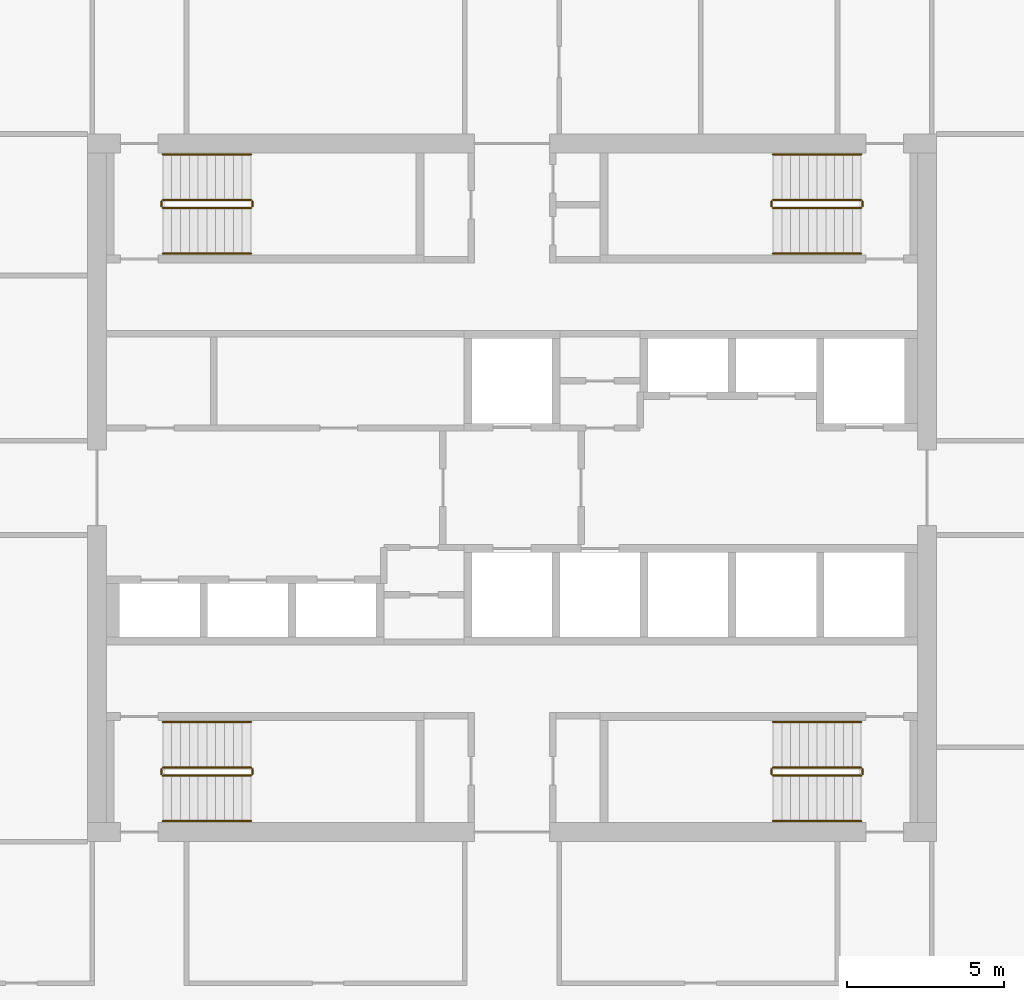
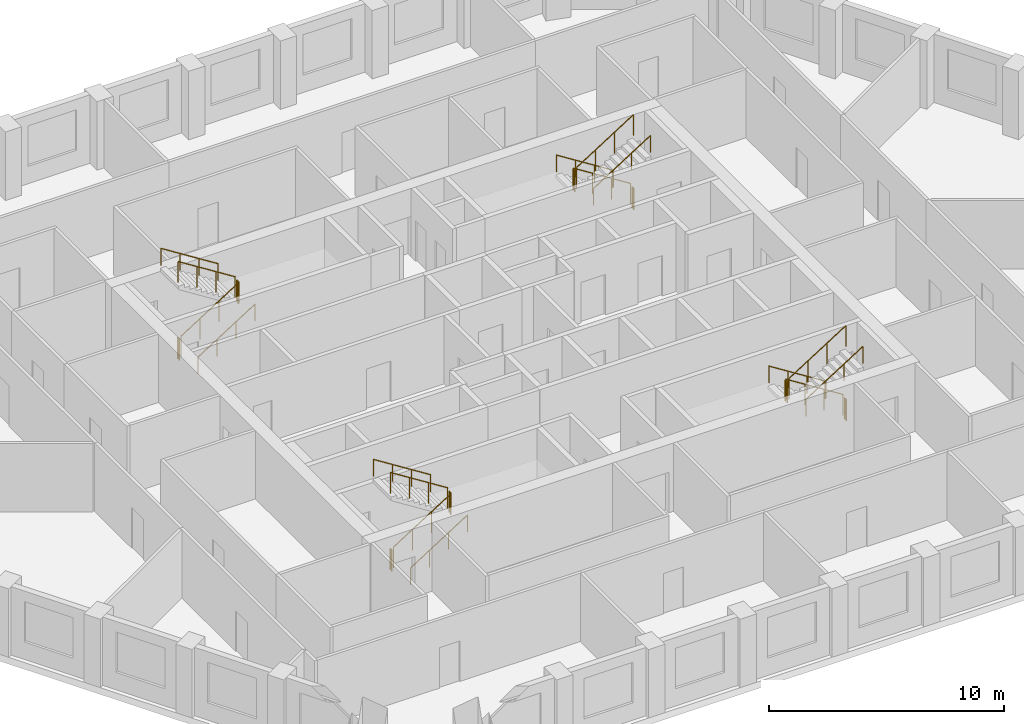
# One storey, part 9 of 9: 24 railings.
"""IFC4 building model written with IfcOpenShell, lengths in metres."""

from ifc_helpers import new_model, si_unit, direction, frame, origin, origin_2d, place, context, subcontext, project, spatial, circle, extrude, material, type_object, element, save


model = new_model("IFC4")

# Units and contexts
model_context = context("Model", 3, precision=1e-05, world=origin(), true_north=direction((0.0, 1.0)))
body_context = subcontext(model_context, "Body", "Model", "MODEL_VIEW")
ifc_project = project(units=[si_unit("LENGTHUNIT", "METRE"), si_unit("AREAUNIT", "SQUARE_METRE"), si_unit("VOLUMEUNIT", "CUBIC_METRE"), si_unit("PLANEANGLEUNIT", "RADIAN"), si_unit("MASSUNIT", "GRAM", prefix="KILO")], contexts=[model_context])

# Site, building, storey
site_placement = place(None, origin())
site = spatial("IfcSite", under=ifc_project, at=site_placement, CompositionType="ELEMENT")
building_placement = place(site_placement, origin())
building = spatial("IfcBuilding", under=site, at=building_placement, Name="Dhurran Vertical Campus", CompositionType="ELEMENT")
storey_placement = place(building_placement, frame((0.0, 0.0, 203.39990234375)))
storey = spatial("IfcBuildingStorey", under=building, at=storey_placement, Name="L50", CompositionType="ELEMENT", Elevation=203.39990234375)

# Railings
ifc_material_1 = material(Name="Stainless steel balustrade", Category="steel")
railing_type_1 = type_object("IfcRailingType", Name="co-RL-GUARD-1100", PredefinedType="GUARDRAIL", material=ifc_material_1)
railing_1_placement = place(storey_placement, frame((-11.10009765625, 8.89990234375, 0.177490234375)))
element("IfcRailing", 1, at=railing_1_placement, inside=storey, type_object=railing_type_1, Name="L50 ST1 stair guard 1", PredefinedType="GUARDRAIL", context=body_context, shape_type="SweptSolid", body=[
    extrude(circle(Radius=0.02392578125, at=origin_2d()), frame((0.0, 0.0, 1.076171875), z_axis=(0.844908973607, 0.0, 0.534910110503), x_axis=(0.0, 1.0, 0.0)), (0.0, 0.0, 1.0), 3.31396484375),
    extrude(circle(Radius=0.02099609375, at=origin_2d()), origin(), (0.0, 0.0, 1.0), 1.052001953125),
    extrude(circle(Radius=0.02099609375, at=origin_2d()), frame((0.933349609375, 0.0, 0.5908203125)), (0.0, 0.0, 1.0), 1.052001953125),
    extrude(circle(Radius=0.02099609375, at=origin_2d()), frame((1.86669921875, 0.0, 1.181884765625)), (0.0, 0.0, 1.0), 1.052001953125),
    extrude(circle(Radius=0.02099609375, at=origin_2d()), frame((2.800048828125, 0.0, 1.772705078125)), (0.0, 0.0, 1.0), 1.052001953125),
])
railing_2_placement = place(storey_placement, frame((-8.25, 8.949951171875, 1.9501953125)))
element("IfcRailing", 2, at=railing_2_placement, inside=storey, type_object=railing_type_1, Name="L50 ST1 stair guard 2", PredefinedType="GUARDRAIL", context=body_context, shape_type="SweptSolid", body=[
    extrude(circle(Radius=0.02392578125, at=origin_2d()), frame((0.0, 0.0, 1.076171875), z_axis=(0.0, 1.0, 0.0), x_axis=(-1.0, 0.0, 0.0)), (0.0, 0.0, 1.0), 0.150146484375),
    extrude(circle(Radius=0.02099609375, at=origin_2d()), origin(), (0.0, 0.0, 1.0), 1.052001953125),
    extrude(circle(Radius=0.02099609375, at=origin_2d()), frame((0.0, 0.150146484375, 0.0)), (0.0, 0.0, 1.0), 1.052001953125),
])
railing_3_placement = place(storey_placement, frame((-8.300048828125, 9.14990234375, 2.12744140625)))
element("IfcRailing", 3, at=railing_3_placement, inside=storey, type_object=railing_type_1, Name="L50 ST1 stair guard 3", PredefinedType="GUARDRAIL", context=body_context, shape_type="SweptSolid", body=[
    extrude(circle(Radius=0.02392578125, at=origin_2d()), frame((0.0, 0.0, 1.076171875), z_axis=(-0.844908973607, 0.0, 0.534910110503), x_axis=(0.0, -1.0, 0.0)), (0.0, 0.0, 1.0), 3.31396484375),
    extrude(circle(Radius=0.02099609375, at=origin_2d()), origin(), (0.0, 0.0, 1.0), 1.052001953125),
    extrude(circle(Radius=0.02099609375, at=origin_2d()), frame((-0.933349609375, 0.0, 0.5908203125)), (0.0, 0.0, 1.0), 1.052001953125),
    extrude(circle(Radius=0.02099609375, at=origin_2d()), frame((-1.86669921875, 0.0, 1.181884765625)), (0.0, 0.0, 1.0), 1.052001953125),
    extrude(circle(Radius=0.02099609375, at=origin_2d()), frame((-2.800048828125, 0.0, 1.772705078125)), (0.0, 0.0, 1.0), 1.052001953125),
])
railing_4_placement = place(storey_placement, frame((-11.14990234375, 8.949951171875, 0.0)))
element("IfcRailing", 4, at=railing_4_placement, inside=storey, type_object=railing_type_1, Name="L50 ST1 stair guard 4", PredefinedType="GUARDRAIL", context=body_context, shape_type="SweptSolid", body=[
    extrude(circle(Radius=0.02392578125, at=origin_2d()), frame((0.0, 0.0, 1.076171875), z_axis=(0.0, 1.0, 0.0), x_axis=(-1.0, 0.0, 0.0)), (0.0, 0.0, 1.0), 0.150146484375),
    extrude(circle(Radius=0.02099609375, at=origin_2d()), origin(), (0.0, 0.0, 1.0), 1.052001953125),
    extrude(circle(Radius=0.02099609375, at=origin_2d()), frame((0.0, 0.150146484375, 0.0)), (0.0, 0.0, 1.0), 1.052001953125),
])
railing_5_placement = place(storey_placement, frame((11.10009765625, 9.14990234375, 0.177490234375)))
element("IfcRailing", 5, at=railing_5_placement, inside=storey, type_object=railing_type_1, Name="L50 ST2 stair guard 1", PredefinedType="GUARDRAIL", context=body_context, shape_type="SweptSolid", body=[
    extrude(circle(Radius=0.02392578125, at=origin_2d()), frame((0.0, 0.0, 1.076171875), z_axis=(-0.844908973607, 0.0, 0.534910110503), x_axis=(0.0, -1.0, 0.0)), (0.0, 0.0, 1.0), 3.31396484375),
    extrude(circle(Radius=0.02099609375, at=origin_2d()), origin(), (0.0, 0.0, 1.0), 1.052001953125),
    extrude(circle(Radius=0.02099609375, at=origin_2d()), frame((-0.933349609375, 0.0, 0.5908203125)), (0.0, 0.0, 1.0), 1.052001953125),
    extrude(circle(Radius=0.02099609375, at=origin_2d()), frame((-1.86669921875, 0.0, 1.181884765625)), (0.0, 0.0, 1.0), 1.052001953125),
    extrude(circle(Radius=0.02099609375, at=origin_2d()), frame((-2.800048828125, 0.0, 1.772705078125)), (0.0, 0.0, 1.0), 1.052001953125),
])
railing_6_placement = place(storey_placement, frame((8.25, 9.10009765625, 1.9501953125)))
element("IfcRailing", 6, at=railing_6_placement, inside=storey, type_object=railing_type_1, Name="L50 ST2 stair guard 2", PredefinedType="GUARDRAIL", context=body_context, shape_type="SweptSolid", body=[
    extrude(circle(Radius=0.02392578125, at=origin_2d()), frame((0.0, 0.0, 1.076171875), z_axis=(0.0, -1.0, 0.0), x_axis=(1.0, 0.0, 0.0)), (0.0, 0.0, 1.0), 0.150146484375),
    extrude(circle(Radius=0.02099609375, at=origin_2d()), origin(), (0.0, 0.0, 1.0), 1.052001953125),
    extrude(circle(Radius=0.02099609375, at=origin_2d()), frame((0.0, -0.150146484375, 0.0)), (0.0, 0.0, 1.0), 1.052001953125),
])
railing_7_placement = place(storey_placement, frame((8.300048828125, 8.89990234375, 2.12744140625)))
element("IfcRailing", 7, at=railing_7_placement, inside=storey, type_object=railing_type_1, Name="L50 ST2 stair guard 3", PredefinedType="GUARDRAIL", context=body_context, shape_type="SweptSolid", body=[
    extrude(circle(Radius=0.02392578125, at=origin_2d()), frame((0.0, 0.0, 1.076171875), z_axis=(0.844908973607, 0.0, 0.534910110503), x_axis=(0.0, 1.0, 0.0)), (0.0, 0.0, 1.0), 3.31396484375),
    extrude(circle(Radius=0.02099609375, at=origin_2d()), origin(), (0.0, 0.0, 1.0), 1.052001953125),
    extrude(circle(Radius=0.02099609375, at=origin_2d()), frame((0.933349609375, 0.0, 0.5908203125)), (0.0, 0.0, 1.0), 1.052001953125),
    extrude(circle(Radius=0.02099609375, at=origin_2d()), frame((1.86669921875, 0.0, 1.181884765625)), (0.0, 0.0, 1.0), 1.052001953125),
    extrude(circle(Radius=0.02099609375, at=origin_2d()), frame((2.800048828125, 0.0, 1.772705078125)), (0.0, 0.0, 1.0), 1.052001953125),
])
railing_8_placement = place(storey_placement, frame((11.14990234375, 9.10009765625, 0.0)))
element("IfcRailing", 8, at=railing_8_placement, inside=storey, type_object=railing_type_1, Name="L50 ST2 stair guard 4", PredefinedType="GUARDRAIL", context=body_context, shape_type="SweptSolid", body=[
    extrude(circle(Radius=0.02392578125, at=origin_2d()), frame((0.0, 0.0, 1.076171875), z_axis=(0.0, -1.0, 0.0), x_axis=(1.0, 0.0, 0.0)), (0.0, 0.0, 1.0), 0.150146484375),
    extrude(circle(Radius=0.02099609375, at=origin_2d()), origin(), (0.0, 0.0, 1.0), 1.052001953125),
    extrude(circle(Radius=0.02099609375, at=origin_2d()), frame((0.0, -0.150146484375, 0.0)), (0.0, 0.0, 1.0), 1.052001953125),
])
railing_9_placement = place(storey_placement, frame((-11.10009765625, -9.14990234375, 0.177490234375)))
element("IfcRailing", 9, at=railing_9_placement, inside=storey, type_object=railing_type_1, Name="L50 ST3 stair guard 1", PredefinedType="GUARDRAIL", context=body_context, shape_type="SweptSolid", body=[
    extrude(circle(Radius=0.02392578125, at=origin_2d()), frame((0.0, 0.0, 1.076171875), z_axis=(0.844908973607, 0.0, 0.534910110503), x_axis=(0.0, 1.0, 0.0)), (0.0, 0.0, 1.0), 3.31396484375),
    extrude(circle(Radius=0.02099609375, at=origin_2d()), origin(), (0.0, 0.0, 1.0), 1.052001953125),
    extrude(circle(Radius=0.02099609375, at=origin_2d()), frame((0.933349609375, 0.0, 0.5908203125)), (0.0, 0.0, 1.0), 1.052001953125),
    extrude(circle(Radius=0.02099609375, at=origin_2d()), frame((1.86669921875, 0.0, 1.181884765625)), (0.0, 0.0, 1.0), 1.052001953125),
    extrude(circle(Radius=0.02099609375, at=origin_2d()), frame((2.800048828125, 0.0, 1.772705078125)), (0.0, 0.0, 1.0), 1.052001953125),
])
railing_10_placement = place(storey_placement, frame((-8.25, -9.10009765625, 1.9501953125)))
element("IfcRailing", 10, at=railing_10_placement, inside=storey, type_object=railing_type_1, Name="L50 ST3 stair guard 2", PredefinedType="GUARDRAIL", context=body_context, shape_type="SweptSolid", body=[
    extrude(circle(Radius=0.02392578125, at=origin_2d()), frame((0.0, 0.0, 1.076171875), z_axis=(0.0, 1.0, 0.0), x_axis=(-1.0, 0.0, 0.0)), (0.0, 0.0, 1.0), 0.150146484375),
    extrude(circle(Radius=0.02099609375, at=origin_2d()), origin(), (0.0, 0.0, 1.0), 1.052001953125),
    extrude(circle(Radius=0.02099609375, at=origin_2d()), frame((0.0, 0.150146484375, 0.0)), (0.0, 0.0, 1.0), 1.052001953125),
])
railing_11_placement = place(storey_placement, frame((-8.300048828125, -8.89990234375, 2.12744140625)))
element("IfcRailing", 11, at=railing_11_placement, inside=storey, type_object=railing_type_1, Name="L50 ST3 stair guard 3", PredefinedType="GUARDRAIL", context=body_context, shape_type="SweptSolid", body=[
    extrude(circle(Radius=0.02392578125, at=origin_2d()), frame((0.0, 0.0, 1.076171875), z_axis=(-0.844908973607, 0.0, 0.534910110503), x_axis=(0.0, -1.0, 0.0)), (0.0, 0.0, 1.0), 3.31396484375),
    extrude(circle(Radius=0.02099609375, at=origin_2d()), origin(), (0.0, 0.0, 1.0), 1.052001953125),
    extrude(circle(Radius=0.02099609375, at=origin_2d()), frame((-0.933349609375, 0.0, 0.5908203125)), (0.0, 0.0, 1.0), 1.052001953125),
    extrude(circle(Radius=0.02099609375, at=origin_2d()), frame((-1.86669921875, 0.0, 1.181884765625)), (0.0, 0.0, 1.0), 1.052001953125),
    extrude(circle(Radius=0.02099609375, at=origin_2d()), frame((-2.800048828125, 0.0, 1.772705078125)), (0.0, 0.0, 1.0), 1.052001953125),
])
railing_12_placement = place(storey_placement, frame((-11.14990234375, -9.10009765625, 0.0)))
element("IfcRailing", 12, at=railing_12_placement, inside=storey, type_object=railing_type_1, Name="L50 ST3 stair guard 4", PredefinedType="GUARDRAIL", context=body_context, shape_type="SweptSolid", body=[
    extrude(circle(Radius=0.02392578125, at=origin_2d()), frame((0.0, 0.0, 1.076171875), z_axis=(0.0, 1.0, 0.0), x_axis=(-1.0, 0.0, 0.0)), (0.0, 0.0, 1.0), 0.150146484375),
    extrude(circle(Radius=0.02099609375, at=origin_2d()), origin(), (0.0, 0.0, 1.0), 1.052001953125),
    extrude(circle(Radius=0.02099609375, at=origin_2d()), frame((0.0, 0.150146484375, 0.0)), (0.0, 0.0, 1.0), 1.052001953125),
])
railing_13_placement = place(storey_placement, frame((11.10009765625, -8.89990234375, 0.177490234375)))
element("IfcRailing", 13, at=railing_13_placement, inside=storey, type_object=railing_type_1, Name="L50 ST4 stair guard 1", PredefinedType="GUARDRAIL", context=body_context, shape_type="SweptSolid", body=[
    extrude(circle(Radius=0.02392578125, at=origin_2d()), frame((0.0, 0.0, 1.076171875), z_axis=(-0.844908973607, 0.0, 0.534910110503), x_axis=(0.0, -1.0, 0.0)), (0.0, 0.0, 1.0), 3.31396484375),
    extrude(circle(Radius=0.02099609375, at=origin_2d()), origin(), (0.0, 0.0, 1.0), 1.052001953125),
    extrude(circle(Radius=0.02099609375, at=origin_2d()), frame((-0.933349609375, 0.0, 0.5908203125)), (0.0, 0.0, 1.0), 1.052001953125),
    extrude(circle(Radius=0.02099609375, at=origin_2d()), frame((-1.86669921875, 0.0, 1.181884765625)), (0.0, 0.0, 1.0), 1.052001953125),
    extrude(circle(Radius=0.02099609375, at=origin_2d()), frame((-2.800048828125, 0.0, 1.772705078125)), (0.0, 0.0, 1.0), 1.052001953125),
])
railing_14_placement = place(storey_placement, frame((8.25, -8.949951171875, 1.9501953125)))
element("IfcRailing", 14, at=railing_14_placement, inside=storey, type_object=railing_type_1, Name="L50 ST4 stair guard 2", PredefinedType="GUARDRAIL", context=body_context, shape_type="SweptSolid", body=[
    extrude(circle(Radius=0.02392578125, at=origin_2d()), frame((0.0, 0.0, 1.076171875), z_axis=(0.0, -1.0, 0.0), x_axis=(1.0, 0.0, 0.0)), (0.0, 0.0, 1.0), 0.150146484375),
    extrude(circle(Radius=0.02099609375, at=origin_2d()), origin(), (0.0, 0.0, 1.0), 1.052001953125),
    extrude(circle(Radius=0.02099609375, at=origin_2d()), frame((0.0, -0.150146484375, 0.0)), (0.0, 0.0, 1.0), 1.052001953125),
])
railing_15_placement = place(storey_placement, frame((8.300048828125, -9.14990234375, 2.12744140625)))
element("IfcRailing", 15, at=railing_15_placement, inside=storey, type_object=railing_type_1, Name="L50 ST4 stair guard 3", PredefinedType="GUARDRAIL", context=body_context, shape_type="SweptSolid", body=[
    extrude(circle(Radius=0.02392578125, at=origin_2d()), frame((0.0, 0.0, 1.076171875), z_axis=(0.844908973607, 0.0, 0.534910110503), x_axis=(0.0, 1.0, 0.0)), (0.0, 0.0, 1.0), 3.31396484375),
    extrude(circle(Radius=0.02099609375, at=origin_2d()), origin(), (0.0, 0.0, 1.0), 1.052001953125),
    extrude(circle(Radius=0.02099609375, at=origin_2d()), frame((0.933349609375, 0.0, 0.5908203125)), (0.0, 0.0, 1.0), 1.052001953125),
    extrude(circle(Radius=0.02099609375, at=origin_2d()), frame((1.86669921875, 0.0, 1.181884765625)), (0.0, 0.0, 1.0), 1.052001953125),
    extrude(circle(Radius=0.02099609375, at=origin_2d()), frame((2.800048828125, 0.0, 1.772705078125)), (0.0, 0.0, 1.0), 1.052001953125),
])
railing_16_placement = place(storey_placement, frame((11.14990234375, -8.949951171875, 0.0)))
element("IfcRailing", 16, at=railing_16_placement, inside=storey, type_object=railing_type_1, Name="L50 ST4 stair guard 4", PredefinedType="GUARDRAIL", context=body_context, shape_type="SweptSolid", body=[
    extrude(circle(Radius=0.02392578125, at=origin_2d()), frame((0.0, 0.0, 1.076171875), z_axis=(0.0, -1.0, 0.0), x_axis=(1.0, 0.0, 0.0)), (0.0, 0.0, 1.0), 0.150146484375),
    extrude(circle(Radius=0.02099609375, at=origin_2d()), origin(), (0.0, 0.0, 1.0), 1.052001953125),
    extrude(circle(Radius=0.02099609375, at=origin_2d()), frame((0.0, -0.150146484375, 0.0)), (0.0, 0.0, 1.0), 1.052001953125),
])
ifc_material_2 = material(Name="Stainless steel handrail", Category="steel")
railing_type_2 = type_object("IfcRailingType", Name="co-RL-HANDRAIL-900", PredefinedType="HANDRAIL", material=ifc_material_2)
railing_17_placement = place(storey_placement, frame((-11.10009765625, 7.449951171875, 0.177490234375)))
element("IfcRailing", 17, at=railing_17_placement, inside=storey, type_object=railing_type_2, Name="L50 ST1 stair handrail 1", PredefinedType="HANDRAIL", context=body_context, shape_type="SweptSolid", body=[
    extrude(circle(Radius=0.02392578125, at=origin_2d()), frame((0.0, 0.0, 0.8759765625), z_axis=(0.844908973607, 0.0, 0.534910110503), x_axis=(0.0, 1.0, 0.0)), (0.0, 0.0, 1.0), 3.31396484375),
    extrude(circle(Radius=0.02099609375, at=origin_2d()), origin(), (0.0, 0.0, 1.0), 0.851806640625),
    extrude(circle(Radius=0.02099609375, at=origin_2d()), frame((0.933349609375, 0.0, 0.5908203125)), (0.0, 0.0, 1.0), 0.851806640625),
    extrude(circle(Radius=0.02099609375, at=origin_2d()), frame((1.86669921875, 0.0, 1.181884765625)), (0.0, 0.0, 1.0), 0.851806640625),
    extrude(circle(Radius=0.02099609375, at=origin_2d()), frame((2.800048828125, 0.0, 1.772705078125)), (0.0, 0.0, 1.0), 0.851806640625),
])
for number, where, name in (
    (18, (-8.300048828125, 10.60009765625, 2.12744140625), "L50 ST1 stair handrail 2"),
    (19, (11.10009765625, 10.60009765625, 0.177490234375), "L50 ST2 stair handrail 1"),
):
    element("IfcRailing", number, at=place(storey_placement, frame(where)), inside=storey, type_object=railing_type_2, Name=name, PredefinedType="HANDRAIL", context=body_context, shape_type="SweptSolid", body=[
        extrude(circle(Radius=0.02392578125, at=origin_2d()), frame((0.0, 0.0, 0.8759765625), z_axis=(-0.844908973607, 0.0, 0.534910110503), x_axis=(0.0, -1.0, 0.0)), (0.0, 0.0, 1.0), 3.31396484375),
        extrude(circle(Radius=0.02099609375, at=origin_2d()), origin(), (0.0, 0.0, 1.0), 0.851806640625),
        extrude(circle(Radius=0.02099609375, at=origin_2d()), frame((-0.933349609375, 0.0, 0.5908203125)), (0.0, 0.0, 1.0), 0.851806640625),
        extrude(circle(Radius=0.02099609375, at=origin_2d()), frame((-1.86669921875, 0.0, 1.181884765625)), (0.0, 0.0, 1.0), 0.851806640625),
        extrude(circle(Radius=0.02099609375, at=origin_2d()), frame((-2.800048828125, 0.0, 1.772705078125)), (0.0, 0.0, 1.0), 0.851806640625),
    ])
for number, where, name in (
    (20, (8.300048828125, 7.449951171875, 2.12744140625), "L50 ST2 stair handrail 2"),
    (21, (-11.10009765625, -10.60009765625, 0.177490234375), "L50 ST3 stair handrail 1"),
):
    element("IfcRailing", number, at=place(storey_placement, frame(where)), inside=storey, type_object=railing_type_2, Name=name, PredefinedType="HANDRAIL", context=body_context, shape_type="SweptSolid", body=[
        extrude(circle(Radius=0.02392578125, at=origin_2d()), frame((0.0, 0.0, 0.8759765625), z_axis=(0.844908973607, 0.0, 0.534910110503), x_axis=(0.0, 1.0, 0.0)), (0.0, 0.0, 1.0), 3.31396484375),
        extrude(circle(Radius=0.02099609375, at=origin_2d()), origin(), (0.0, 0.0, 1.0), 0.851806640625),
        extrude(circle(Radius=0.02099609375, at=origin_2d()), frame((0.933349609375, 0.0, 0.5908203125)), (0.0, 0.0, 1.0), 0.851806640625),
        extrude(circle(Radius=0.02099609375, at=origin_2d()), frame((1.86669921875, 0.0, 1.181884765625)), (0.0, 0.0, 1.0), 0.851806640625),
        extrude(circle(Radius=0.02099609375, at=origin_2d()), frame((2.800048828125, 0.0, 1.772705078125)), (0.0, 0.0, 1.0), 0.851806640625),
    ])
for number, where, name in (
    (22, (-8.300048828125, -7.449951171875, 2.12744140625), "L50 ST3 stair handrail 2"),
    (23, (11.10009765625, -7.449951171875, 0.177490234375), "L50 ST4 stair handrail 1"),
):
    element("IfcRailing", number, at=place(storey_placement, frame(where)), inside=storey, type_object=railing_type_2, Name=name, PredefinedType="HANDRAIL", context=body_context, shape_type="SweptSolid", body=[
        extrude(circle(Radius=0.02392578125, at=origin_2d()), frame((0.0, 0.0, 0.8759765625), z_axis=(-0.844908973607, 0.0, 0.534910110503), x_axis=(0.0, -1.0, 0.0)), (0.0, 0.0, 1.0), 3.31396484375),
        extrude(circle(Radius=0.02099609375, at=origin_2d()), origin(), (0.0, 0.0, 1.0), 0.851806640625),
        extrude(circle(Radius=0.02099609375, at=origin_2d()), frame((-0.933349609375, 0.0, 0.5908203125)), (0.0, 0.0, 1.0), 0.851806640625),
        extrude(circle(Radius=0.02099609375, at=origin_2d()), frame((-1.86669921875, 0.0, 1.181884765625)), (0.0, 0.0, 1.0), 0.851806640625),
        extrude(circle(Radius=0.02099609375, at=origin_2d()), frame((-2.800048828125, 0.0, 1.772705078125)), (0.0, 0.0, 1.0), 0.851806640625),
    ])
railing_18_placement = place(storey_placement, frame((8.300048828125, -10.60009765625, 2.12744140625)))
element("IfcRailing", 24, at=railing_18_placement, inside=storey, type_object=railing_type_2, Name="L50 ST4 stair handrail 2", PredefinedType="HANDRAIL", context=body_context, shape_type="SweptSolid", body=[
    extrude(circle(Radius=0.02392578125, at=origin_2d()), frame((0.0, 0.0, 0.8759765625), z_axis=(0.844908973607, 0.0, 0.534910110503), x_axis=(0.0, 1.0, 0.0)), (0.0, 0.0, 1.0), 3.31396484375),
    extrude(circle(Radius=0.02099609375, at=origin_2d()), origin(), (0.0, 0.0, 1.0), 0.851806640625),
    extrude(circle(Radius=0.02099609375, at=origin_2d()), frame((0.933349609375, 0.0, 0.5908203125)), (0.0, 0.0, 1.0), 0.851806640625),
    extrude(circle(Radius=0.02099609375, at=origin_2d()), frame((1.86669921875, 0.0, 1.181884765625)), (0.0, 0.0, 1.0), 0.851806640625),
    extrude(circle(Radius=0.02099609375, at=origin_2d()), frame((2.800048828125, 0.0, 1.772705078125)), (0.0, 0.0, 1.0), 0.851806640625),
])

save(model, "model.ifc")
